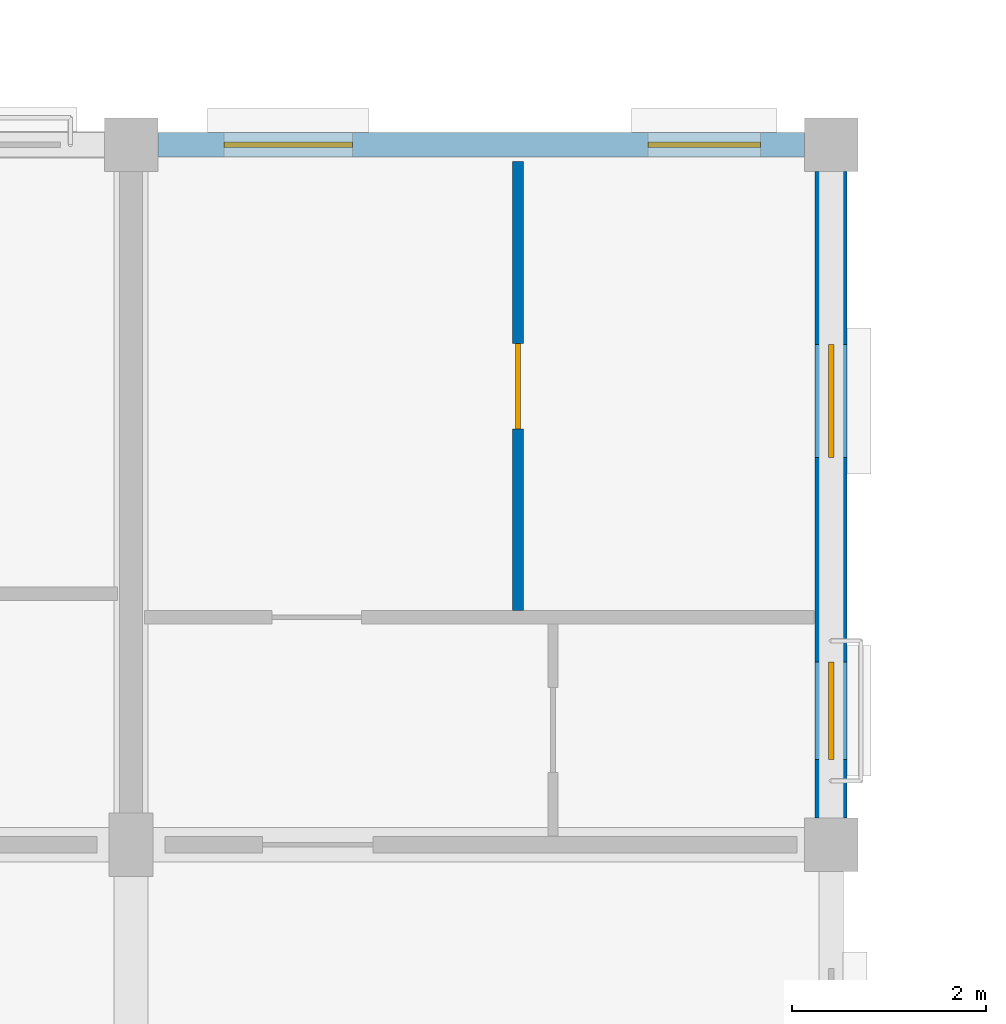
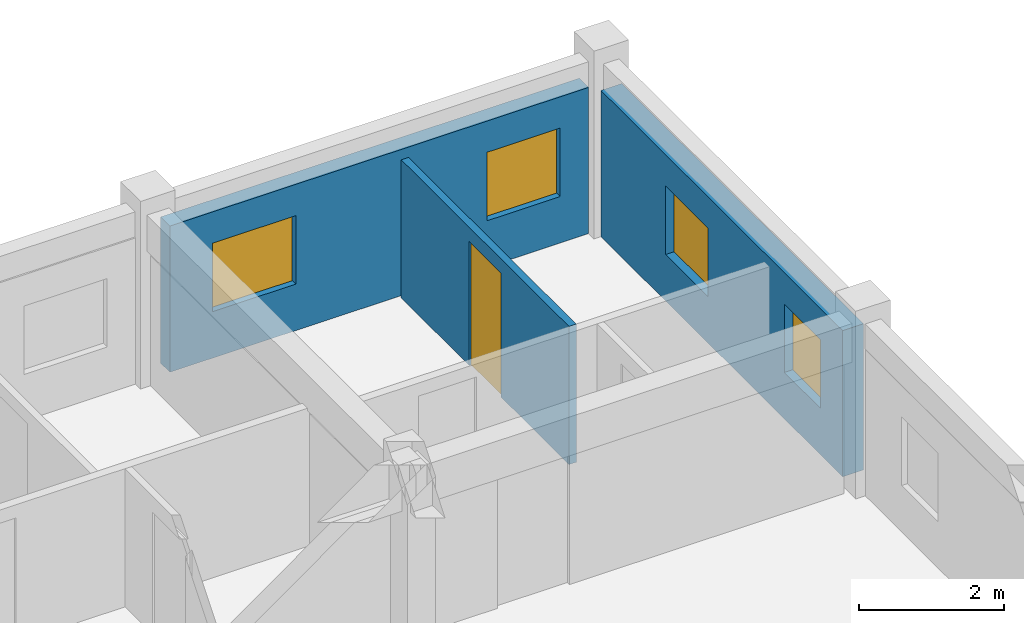
# One storey, part 72 of 79: 4 windows, 3 walls, 1 door, 5 openings.
"""IFC4 building model written with IfcOpenShell, lengths in metres."""

from ifc_helpers import new_model, si_unit, direction, frame, frame_2d, origin, place, context, subcontext, project, spatial, rectangle, extrude, material, layer, layer_set, type_object, element, fill, save


model = new_model("IFC4")

# Units and contexts
model_context = context("Model", 3, precision=1e-05, world=origin(), true_north=direction((0.0, 1.0)))
body_context = subcontext(model_context, "Body", "Model", "MODEL_VIEW")
ifc_project = project(units=[si_unit("LENGTHUNIT", "METRE"), si_unit("AREAUNIT", "SQUARE_METRE"), si_unit("VOLUMEUNIT", "CUBIC_METRE"), si_unit("PLANEANGLEUNIT", "RADIAN"), si_unit("MASSUNIT", "GRAM", prefix="KILO"), si_unit("THERMODYNAMICTEMPERATUREUNIT", "KELVIN"), si_unit("POWERUNIT", "WATT")], contexts=[model_context])

# Site, building, storey
site_placement = place(None, origin())
site = spatial("IfcSite", under=ifc_project, at=site_placement, CompositionType="ELEMENT")
building_placement = place(site_placement, origin())
building = spatial("IfcBuilding", under=site, at=building_placement, Name="Tavuni Mirador Residences", CompositionType="ELEMENT")
storey_placement = place(building_placement, frame((0.0, 0.0, 13.949951171875)))
storey = spatial("IfcBuildingStorey", under=building, at=storey_placement, Name="L04", CompositionType="ELEMENT", Elevation=13.949951171875)

# Wall, openings, windows
ifc_material_1 = material(Name="Precast concrete C40/50", Category="concrete")
ifc_layer_1 = layer(ifc_material_1, 0.330078125, Name="Precast concrete C40/50", Category="concrete")
ifc_layer_set_1 = layer_set([ifc_layer_1], Name="Precast concrete C40/50")
wall_type_1 = type_object("IfcWallType", Name="WT-EXT-COR330", PredefinedType="SOLIDWALL", material=ifc_layer_set_1)
wall_1_placement = place(storey_placement, frame((75.60009765625, 165.875, 0.0), z_axis=(0.0, 0.0, 1.0), x_axis=(0.0, 1.0, 0.0)))
wall_1 = element("IfcWall", 1, at=wall_1_placement, inside=storey, type_object=wall_type_1, Name="EW-BLK-C-L04-E03", PredefinedType="SOLIDWALL", context=body_context, shape_type="SweptSolid", body=[
    extrude(rectangle(XDim=6.64990234375, YDim=0.330078125, at=frame_2d((3.324951171875, 0.0))), origin(), (0.0, 0.0, 1.0), 2.455078125),
])
opening_1_placement = place(wall_1_placement, frame((0.6025390625, 0.0, 0.780029296875)))
opening_1 = element("IfcOpeningElement", 2, at=opening_1_placement, cuts=wall_1, Name="Opening WN-03", PredefinedType="OPENING", context=body_context, shape_type="SweptSolid", body=[
    extrude(rectangle(XDim=1.0, YDim=1.14990234375, at=frame_2d((0.5, 0.574951171875))), frame((0.0, 0.175048828125, 0.0), z_axis=(0.0, -1.0, 0.0), x_axis=(1.0, 0.0, 0.0)), (0.0, 0.0, 1.0), 0.35009765625),
])
opening_2_placement = place(wall_1_placement, frame((3.70751953125, 0.0, 0.780029296875)))
opening_2 = element("IfcOpeningElement", 3, at=opening_2_placement, cuts=wall_1, Name="Opening WN-05", PredefinedType="OPENING", context=body_context, shape_type="SweptSolid", body=[
    extrude(rectangle(XDim=1.159912109375, YDim=1.14990234375, at=frame_2d((0.580078125, 0.574951171875))), frame((0.0, 0.175048828125, 0.0), z_axis=(0.0, -1.0, 0.0), x_axis=(1.0, 0.0, 0.0)), (0.0, 0.0, 1.0), 0.35009765625),
])
ifc_material_2 = material(Name="Laminated solar-control glass", Category="glass")
window_type_1 = type_object("IfcWindowType", Name="WNT-03", PartitioningType="SINGLE_PANEL", PredefinedType="WINDOW", material=ifc_material_2)
window_1_placement = place(opening_1_placement, origin())
window_1 = element("IfcWindow", 4, at=window_1_placement, inside=storey, type_object=window_type_1, Name="WIN-1018", OverallHeight=1.14990234375, OverallWidth=1.0, PartitioningType="SINGLE_PANEL", PredefinedType="WINDOW", context=body_context, shape_type="SweptSolid", body=[
    extrude(rectangle(XDim=1.0, YDim=1.14990234375, at=frame_2d((0.5, 0.574951171875))), frame((0.0, 0.030029296875, 0.0), z_axis=(0.0, -1.0, 0.0), x_axis=(1.0, 0.0, 0.0)), (0.0, 0.0, 1.0), 0.06005859375),
])
fill(opening_1, window_1)
window_type_2 = type_object("IfcWindowType", Name="WNT-05", PartitioningType="SINGLE_PANEL", PredefinedType="WINDOW", material=ifc_material_2)
window_2_placement = place(opening_2_placement, origin())
window_2 = element("IfcWindow", 5, at=window_2_placement, inside=storey, type_object=window_type_2, Name="WIN-1019", OverallHeight=1.14990234375, OverallWidth=1.159912109375, PartitioningType="SINGLE_PANEL", PredefinedType="WINDOW", context=body_context, shape_type="SweptSolid", body=[
    extrude(rectangle(XDim=1.159912109375, YDim=1.14990234375, at=frame_2d((0.580078125, 0.574951171875))), frame((0.0, 0.030029296875, 0.0), z_axis=(0.0, -1.0, 0.0), x_axis=(1.0, 0.0, 0.0)), (0.0, 0.0, 1.0), 0.06005859375),
])
fill(opening_2, window_2)

ifc_material_3 = material(Name="Sgraffito lime-rendered precast concrete C40/50", Category="concrete")
ifc_layer_2 = layer(ifc_material_3, 0.2548828125, Name="Sgraffito lime-rendered precast concrete C40/50", Category="concrete")
ifc_layer_set_2 = layer_set([ifc_layer_2], Name="Sgraffito lime-rendered precast concrete C40/50")
wall_type_2 = type_object("IfcWallType", Name="WT-EXT-PC255", PredefinedType="SOLIDWALL", material=ifc_layer_set_2)
wall_2_placement = place(storey_placement, frame((75.324951171875, 172.800048828125, 0.0), z_axis=(0.0, 0.0, 1.0), x_axis=(-1.0, 0.0, 0.0)))
wall_2 = element("IfcWall", 6, at=wall_2_placement, inside=storey, type_object=wall_type_2, Name="EW-BLK-C-L04-N08", PredefinedType="SOLIDWALL", context=body_context, shape_type="SweptSolid", body=[
    extrude(rectangle(XDim=6.64990234375, YDim=0.2548828125, at=frame_2d((3.324951171875, 0.0))), origin(), (0.0, 0.0, 1.0), 2.455078125),
])
opening_3_placement = place(wall_2_placement, frame((0.449951171875, 0.0, 0.780029296875)))
opening_3 = element("IfcOpeningElement", 7, at=opening_3_placement, cuts=wall_2, Name="Opening WN-05", PredefinedType="OPENING", context=body_context, shape_type="SweptSolid", body=[
    extrude(rectangle(XDim=1.159912109375, YDim=1.14990234375, at=frame_2d((0.580078125, 0.574951171875))), frame((0.0, 0.137451171875, 0.0), z_axis=(0.0, -1.0, 0.0), x_axis=(1.0, 0.0, 0.0)), (0.0, 0.0, 1.0), 0.27490234375),
])
opening_4_placement = place(wall_2_placement, frame((4.64990234375, 0.0, 0.780029296875)))
opening_4 = element("IfcOpeningElement", 8, at=opening_4_placement, cuts=wall_2, Name="Opening WN-07", PredefinedType="OPENING", context=body_context, shape_type="SweptSolid", body=[
    extrude(rectangle(XDim=1.320068359375, YDim=1.14990234375, at=frame_2d((0.66015625, 0.574951171875))), frame((0.0, 0.137451171875, 0.0), z_axis=(0.0, -1.0, 0.0), x_axis=(1.0, 0.0, 0.0)), (0.0, 0.0, 1.0), 0.27490234375),
])
window_3_placement = place(opening_3_placement, origin())
window_3 = element("IfcWindow", 9, at=window_3_placement, inside=storey, type_object=window_type_2, Name="WIN-1020", OverallHeight=1.14990234375, OverallWidth=1.159912109375, PartitioningType="SINGLE_PANEL", PredefinedType="WINDOW", context=body_context, shape_type="SweptSolid", body=[
    extrude(rectangle(XDim=1.159912109375, YDim=1.14990234375, at=frame_2d((0.580078125, 0.574951171875))), frame((0.0, 0.030029296875, 0.0), z_axis=(0.0, -1.0, 0.0), x_axis=(1.0, 0.0, 0.0)), (0.0, 0.0, 1.0), 0.06005859375),
])
fill(opening_3, window_3)
window_type_3 = type_object("IfcWindowType", Name="WNT-07", PartitioningType="SINGLE_PANEL", PredefinedType="WINDOW", material=ifc_material_2)
window_4_placement = place(opening_4_placement, origin())
window_4 = element("IfcWindow", 10, at=window_4_placement, inside=storey, type_object=window_type_3, Name="WIN-1021", OverallHeight=1.14990234375, OverallWidth=1.320068359375, PartitioningType="SINGLE_PANEL", PredefinedType="WINDOW", context=body_context, shape_type="SweptSolid", body=[
    extrude(rectangle(XDim=1.320068359375, YDim=1.14990234375, at=frame_2d((0.66015625, 0.574951171875))), frame((0.0, 0.030029296875, 0.0), z_axis=(0.0, -1.0, 0.0), x_axis=(1.0, 0.0, 0.0)), (0.0, 0.0, 1.0), 0.06005859375),
])
fill(opening_4, window_4)

# Wall, opening, door
ifc_material_4 = material(Name="Acoustic gypsum and concrete block partition", Category="concrete")
ifc_layer_3 = layer(ifc_material_4, 0.114990234375, Name="Acoustic gypsum and concrete block partition", Category="concrete")
ifc_layer_set_3 = layer_set([ifc_layer_3], Name="Acoustic gypsum and concrete block partition")
wall_type_3 = type_object("IfcWallType", Name="WT-PART115", PredefinedType="PARTITIONING", material=ifc_layer_set_3)
wall_3_placement = place(storey_placement, frame((72.3798828125, 168.010009765625, 0.0), z_axis=(0.0, 0.0, 1.0), x_axis=(0.0, 1.0, 0.0)))
wall_3 = element("IfcWall", 11, at=wall_3_placement, inside=storey, type_object=wall_type_3, Name="PW-BLK-C-L04-N08-OUT", PredefinedType="PARTITIONING", context=body_context, shape_type="SweptSolid", body=[
    extrude(rectangle(XDim=4.614990234375, YDim=0.114990234375, at=frame_2d((2.3076171875, 0.0))), origin(), (0.0, 0.0, 1.0), 2.320068359375),
])
opening_5_placement = place(wall_3_placement, frame((1.867431640625, 0.0, 0.0)))
opening_5 = element("IfcOpeningElement", 12, at=opening_5_placement, cuts=wall_3, Name="Opening D-08", PredefinedType="OPENING", context=body_context, shape_type="SweptSolid", body=[
    extrude(rectangle(XDim=0.8798828125, YDim=2.080078125, at=frame_2d((0.43994140625, 1.0400390625))), frame((0.0, 0.0673828125, 0.0), z_axis=(0.0, -1.0, 0.0), x_axis=(1.0, 0.0, 0.0)), (0.0, 0.0, 1.0), 0.135009765625),
])
ifc_material_5 = material(Name="Solid core iroko timber", Category="wood")
door_type = type_object("IfcDoorType", Name="DT-BED880", OperationType="NOTDEFINED", PredefinedType="DOOR", material=ifc_material_5)
door_placement = place(opening_5_placement, origin())
door = element("IfcDoor", 13, at=door_placement, inside=storey, type_object=door_type, Name="DR-3903", OperationType="SINGLE_SWING_LEFT", OverallHeight=2.080078125, OverallWidth=0.8798828125, PredefinedType="DOOR", context=body_context, shape_type="SweptSolid", body=[
    extrude(rectangle(XDim=0.8798828125, YDim=2.080078125, at=frame_2d((0.43994140625, 1.0400390625))), frame((0.0, 0.02490234375, 0.0), z_axis=(0.0, -1.0, 0.0), x_axis=(1.0, 0.0, 0.0)), (0.0, 0.0, 1.0), 0.050048828125),
])
fill(opening_5, door)

save(model, "model.ifc")
